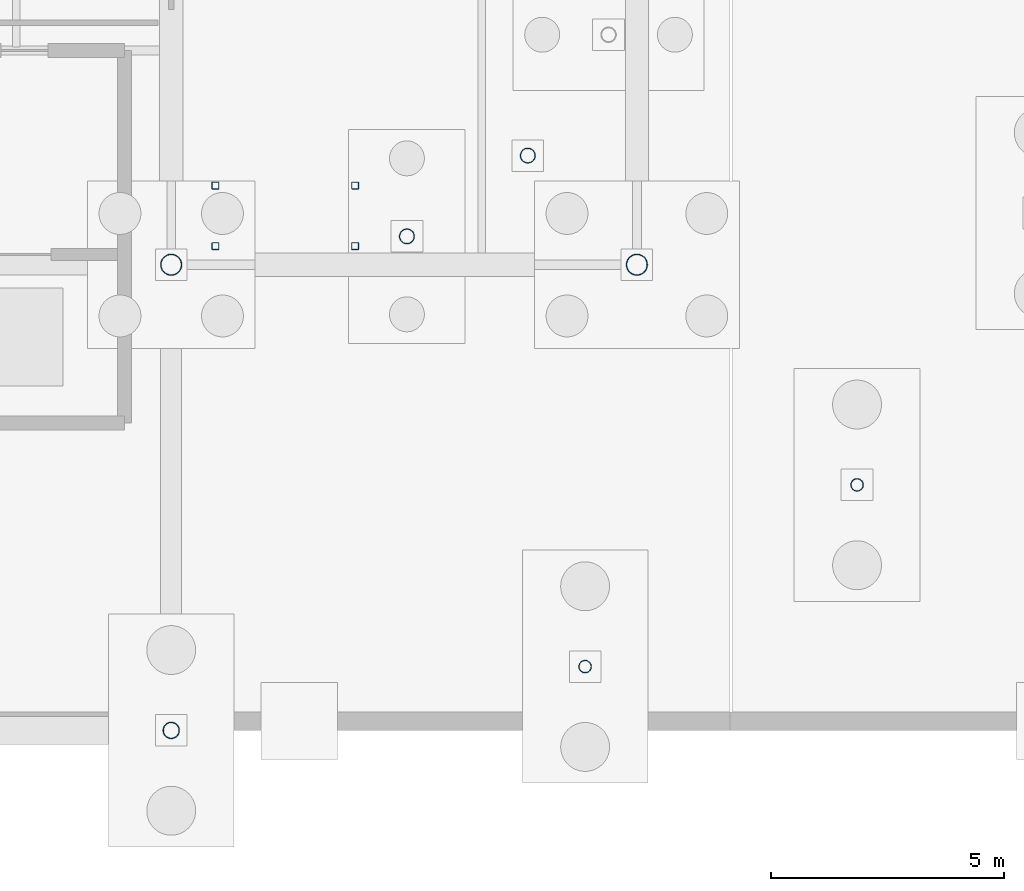
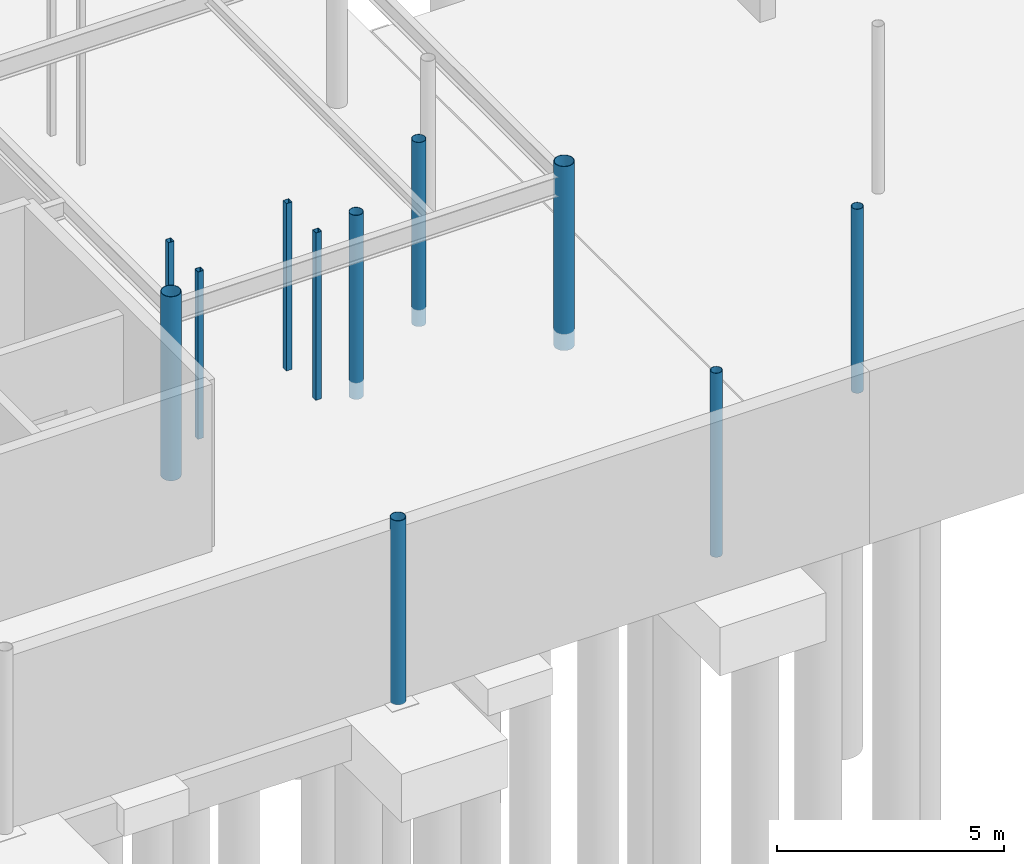
# One storey, part 40 of 75: 11 columns.
"""IFC4 building model written with IfcOpenShell, lengths in metres."""

from ifc_helpers import new_model, si_unit, derived_unit, direction, frame, origin, origin_2d_with_axis, place, context, subcontext, project, spatial, hollow_rectangle, hollow_circle, extrude, material, material_profile, profile_set, type_object, element, save


model = new_model("IFC4")

# Units and contexts
model_context = context("Model", 3, precision=1e-05, world=origin(), true_north=direction((0.0, 1.0)))
body_context = subcontext(model_context, "Body", "Model", "MODEL_VIEW")
ifc_project = project(units=[si_unit("LENGTHUNIT", "METRE"), si_unit("AREAUNIT", "SQUARE_METRE"), si_unit("VOLUMEUNIT", "CUBIC_METRE"), si_unit("PLANEANGLEUNIT", "RADIAN"), si_unit("MASSUNIT", "GRAM", prefix="KILO"), derived_unit("THERMALTRANSMITTANCEUNIT", [(si_unit("POWERUNIT", "WATT"), 1), (si_unit("LENGTHUNIT", "METRE"), -2), (si_unit("THERMODYNAMICTEMPERATUREUNIT", "KELVIN"), -1)])], contexts=[model_context])

# Site, building, storey
site_placement = place(None, origin())
site = spatial("IfcSite", under=ifc_project, at=site_placement, CompositionType="ELEMENT")
building_placement = place(site_placement, origin())
building = spatial("IfcBuilding", under=site, at=building_placement, Name="Cinnabar Yard Market Hall", CompositionType="ELEMENT")
storey_placement = place(building_placement, frame((0.0, 0.0, -4.5)))
storey = spatial("IfcBuildingStorey", under=building, at=storey_placement, Name="B1", CompositionType="ELEMENT", Elevation=-4.5)

# Columns
ifc_material_1 = material(Name="Spotted-gum glulam-clad steel Grade 350 (350 MPa)", Category="steel")
ifc_material_profile_1 = material_profile(ifc_material_1, hollow_circle(Radius=0.228515625, WallThickness=0.0126953125, at=origin_2d_with_axis()), Name="457.0x12.7CHS")
ifc_profile_set_1 = profile_set([ifc_material_profile_1], Name="Spotted-gum glulam-clad steel Grade 350 (350 MPa)")
column_type_1 = type_object("IfcColumnType", Name="COL-C01", PredefinedType="COLUMN", material=ifc_profile_set_1)
for number, where, z_axis, x_axis, name in (
    (1, (146.0, 24.0, -0.449951171875), (0.0, 0.0, 1.0), (1.0, 0.0, 0.0), "Tree Column V1I-08-01 B1"),
    (2, (156.0, 24.0, -0.449951171875), (0.0, 0.0, 1.0), (1.0, 0.0, 0.0), "Tree Column V1I-09-01 B1"),
):
    element("IfcColumn", number, at=place(storey_placement, frame(where, z_axis=z_axis, x_axis=x_axis)), inside=storey, type_object=column_type_1, Name=name, PredefinedType="COLUMN", context=body_context, shape_type="SweptSolid", body=[
        extrude(hollow_circle(Radius=0.228515625, WallThickness=0.0126953125, at=origin_2d_with_axis()), origin(), (0.0, 0.0, 1.0), 4.949951171875),
    ])
ifc_material_profile_2 = material_profile(ifc_material_1, hollow_circle(Radius=0.177734375, WallThickness=0.0126953125, at=origin_2d_with_axis()), Name="355.6x12.7CHS")
ifc_profile_set_2 = profile_set([ifc_material_profile_2], Name="Spotted-gum glulam-clad steel Grade 350 (350 MPa)")
column_type_2 = type_object("IfcColumnType", Name="COL-C02", PredefinedType="COLUMN", material=ifc_profile_set_2)
column_placement = place(storey_placement, frame((146.0, 14.0, -0.449951171875), z_axis=(0.0, 0.0, 1.0), x_axis=(1.0, 0.0, 0.0)))
element("IfcColumn", 3, at=column_placement, inside=storey, type_object=column_type_2, Name="Tree Column V1S-07 B1", PredefinedType="COLUMN", context=body_context, shape_type="SweptSolid", body=[
    extrude(hollow_circle(Radius=0.177734375, WallThickness=0.0126953125, at=origin_2d_with_axis()), origin(), (0.0, 0.0, 1.0), 4.949951171875),
])
ifc_material_profile_3 = material_profile(ifc_material_1, hollow_circle(Radius=0.161865234375, WallThickness=0.009521484375, at=origin_2d_with_axis()), Name="323.9x9.5CHS")
ifc_profile_set_3 = profile_set([ifc_material_profile_3], Name="Spotted-gum glulam-clad steel Grade 350 (350 MPa)")
column_type_3 = type_object("IfcColumnType", Name="COL-C03", PredefinedType="COLUMN", material=ifc_profile_set_3)
for number, where, z_axis, x_axis, name in (
    (4, (151.0615234375, 24.60888671875, -0.449951171875), (0.0, 0.0, 1.0), (1.0, 0.0, 0.0), "Tree Column V1IC-SE2 B1"),
    (5, (153.656982421875, 26.343017578125, -0.449951171875), (0.0, 0.0, 1.0), (1.0, 0.0, 0.0), "Tree Column V1IC-SE4 B1"),
):
    element("IfcColumn", number, at=place(storey_placement, frame(where, z_axis=z_axis, x_axis=x_axis)), inside=storey, type_object=column_type_3, Name=name, PredefinedType="COLUMN", context=body_context, shape_type="SweptSolid", body=[
        extrude(hollow_circle(Radius=0.161865234375, WallThickness=0.009521484375, at=origin_2d_with_axis()), origin(), (0.0, 0.0, 1.0), 4.949951171875),
    ])
ifc_material_profile_4 = material_profile(ifc_material_1, hollow_circle(Radius=0.136474609375, WallThickness=0.00927734375, at=origin_2d_with_axis()), Name="273.1x9.3CHS")
ifc_profile_set_4 = profile_set([ifc_material_profile_4], Name="Spotted-gum glulam-clad steel Grade 350 (350 MPa)")
column_type_4 = type_object("IfcColumnType", Name="COL-C04", PredefinedType="COLUMN", material=ifc_profile_set_4)
for number, where, z_axis, x_axis, name in (
    (6, (154.88818359375, 15.3701171875, -0.449951171875), (0.0, 0.0, 1.0), (1.0, 0.0, 0.0), "Tree Column V1C-SE2 B1"),
    (7, (160.727783203125, 19.272216796875, -0.449951171875), (0.0, 0.0, 1.0), (1.0, 0.0, 0.0), "Tree Column V1C-SE4 B1"),
):
    element("IfcColumn", number, at=place(storey_placement, frame(where, z_axis=z_axis, x_axis=x_axis)), inside=storey, type_object=column_type_4, Name=name, PredefinedType="COLUMN", context=body_context, shape_type="SweptSolid", body=[
        extrude(hollow_circle(Radius=0.136474609375, WallThickness=0.00927734375, at=origin_2d_with_axis()), origin(), (0.0, 0.0, 1.0), 4.949951171875),
    ])
ifc_material_2 = material(Name="Cold-formed steel C350L0", Category="steel")
ifc_material_profile_5 = material_profile(ifc_material_2, hollow_rectangle(XDim=0.14990234375, YDim=0.14990234375, WallThickness=0.006103515625, InnerFilletRadius=0.006103515625, OuterFilletRadius=0.011962890625, at=origin_2d_with_axis()), Name="150x150x6.0SHS")
ifc_profile_set_5 = profile_set([ifc_material_profile_5], Name="Cold-formed steel C350L0")
column_type_5 = type_object("IfcColumnType", Name="COL-C16", PredefinedType="COLUMN", material=ifc_profile_set_5)
for number, where, z_axis, x_axis, name in (
    (8, (146.949951171875, 24.39990234375, 0.0), (0.0, 0.0, 1.0), (1.0, 0.0, 0.0), "Feature Stair Pier ST-F5-1"),
    (9, (149.949951171875, 24.39990234375, 0.0), (0.0, 0.0, 1.0), (1.0, 0.0, 0.0), "Feature Stair Pier ST-F5-2"),
    (10, (146.949951171875, 25.699951171875, 0.0), (0.0, 0.0, 1.0), (1.0, 0.0, 0.0), "Feature Stair Pier ST-F5-3"),
    (11, (149.949951171875, 25.699951171875, 0.0), (0.0, 0.0, 1.0), (1.0, 0.0, 0.0), "Feature Stair Pier ST-F5-4"),
):
    element("IfcColumn", number, at=place(storey_placement, frame(where, z_axis=z_axis, x_axis=x_axis)), inside=storey, type_object=column_type_5, Name=name, PredefinedType="COLUMN", context=body_context, shape_type="SweptSolid", body=[
        extrude(hollow_rectangle(XDim=0.14990234375, YDim=0.14990234375, WallThickness=0.006103515625, InnerFilletRadius=0.006103515625, OuterFilletRadius=0.011962890625, at=origin_2d_with_axis()), origin(), (0.0, 0.0, 1.0), 4.5),
    ])

save(model, "model.ifc")
